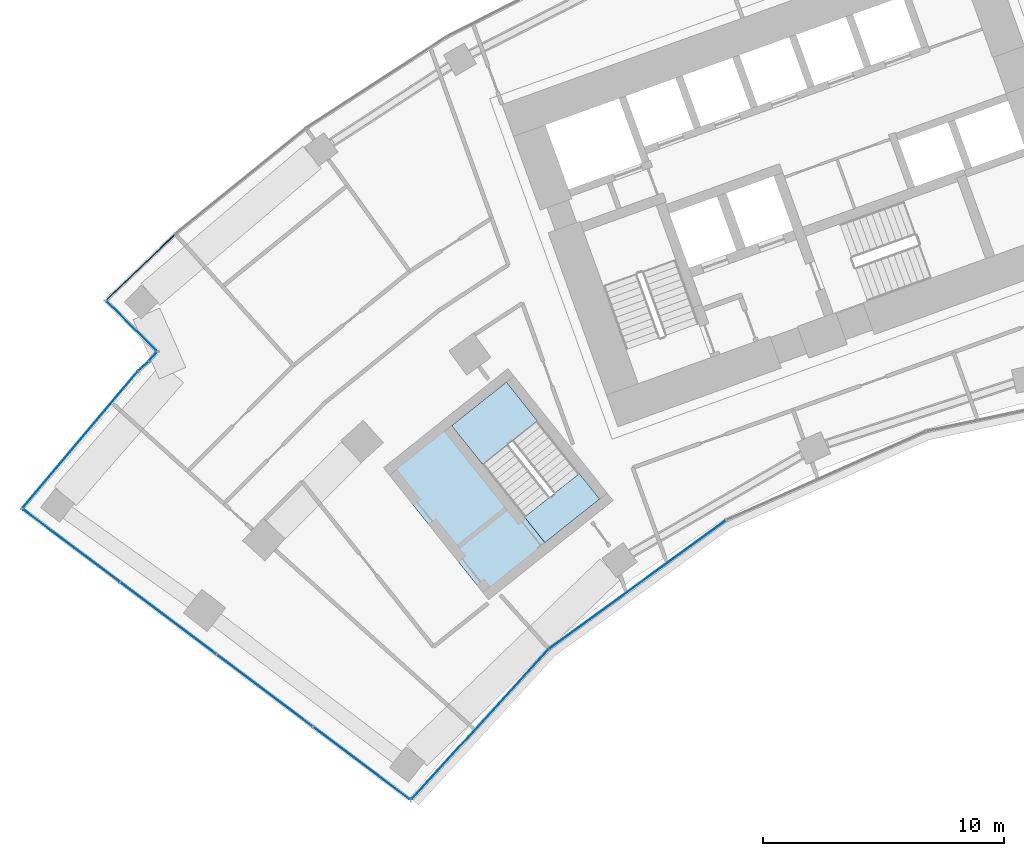
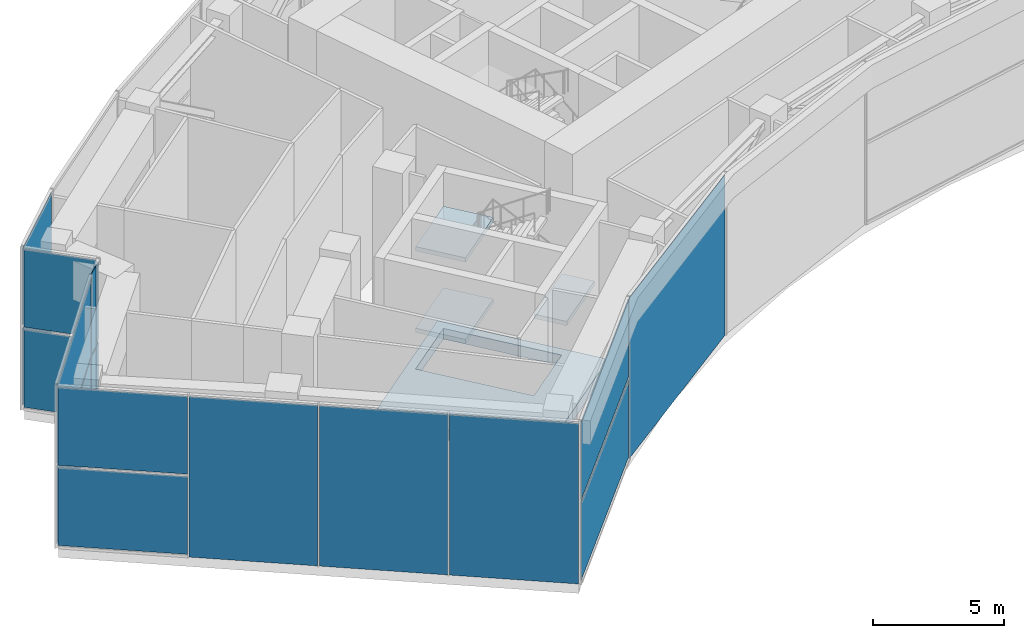
# One storey, part 16 of 32: 18 plates, 4 slabs, 8 elements without a shape of their own.
"""IFC4 building model written with IfcOpenShell, lengths in metres."""

from ifc_helpers import new_model, si_unit, direction, frame, origin, origin_2d, place, context, subcontext, project, spatial, polyline, rectangle, outline, extrude, material, layer, layer_set, type_object, element, aggregate, save


model = new_model("IFC4")

# Units and contexts
model_context = context("Model", 3, precision=1e-05, world=origin(), true_north=direction((0.0, 1.0)))
body_context = subcontext(model_context, "Body", "Model", "MODEL_VIEW")
ifc_project = project(units=[si_unit("LENGTHUNIT", "METRE"), si_unit("AREAUNIT", "SQUARE_METRE"), si_unit("VOLUMEUNIT", "CUBIC_METRE"), si_unit("PLANEANGLEUNIT", "RADIAN"), si_unit("MASSUNIT", "GRAM", prefix="KILO")], contexts=[model_context])

# Site, building, storey
site_placement = place(None, origin())
site = spatial("IfcSite", under=ifc_project, at=site_placement, CompositionType="ELEMENT")
building_placement = place(site_placement, origin())
building = spatial("IfcBuilding", under=site, at=building_placement, Name="Stone Belt Terrace Tower", CompositionType="ELEMENT")
storey_placement = place(building_placement, frame((0.0, 0.0, 193.39990234375)))
storey = spatial("IfcBuildingStorey", under=building, at=storey_placement, Name="L47", CompositionType="ELEMENT", Elevation=193.39990234375)

# Curtain wall, plates
ifc_material_1 = material(Name="Aluminium 6063-T6 anodised frame", Category="aluminium")
ifc_layer_1 = layer(ifc_material_1, 0.14990234375)
ifc_layer_set_1 = layer_set([ifc_layer_1], Name="CW-A unitised convex-face curtain wall")
curtain_wall_type_1 = type_object("IfcCurtainWallType", Name="CW-A unitised convex-face curtain wall", PredefinedType="NOTDEFINED", material=ifc_layer_set_1)
curtain_wall_1_placement = place(storey_placement, origin())
curtain_wall_1 = element("IfcCurtainWall", 1, at=curtain_wall_1_placement, inside=storey, type_object=curtain_wall_type_1, Name="CW-A convex face L47", PredefinedType="NOTDEFINED")
ifc_material_2 = material(Name="Terracotta coloured glazed ceramic", Category="masonry")
ifc_layer_2 = layer(ifc_material_2, 0.031982421875)
ifc_layer_set_2 = layer_set([ifc_layer_2], Name="CW-A ceramic louvre panel 32")
plate_type_1 = type_object("IfcPlateType", Name="CW-A ceramic louvre panel 32", PredefinedType="CURTAIN_PANEL", material=ifc_layer_set_2)
plate_1_placement = place(storey_placement, frame((-45.9765625, 48.109619140625, 0.14013671875), z_axis=(0.0, 0.0, 1.0), x_axis=(-0.723120883539, -0.690721497993, 0.0)))
plate_1 = element("IfcPlate", 2, at=plate_1_placement, type_object=plate_type_1, Name="CW-A louvre panel 16.1", PredefinedType="CURTAIN_PANEL", context=body_context, shape_type="SweptSolid", body=[
    extrude(rectangle(XDim=3.888671875, YDim=0.031982421875, at=origin_2d()), origin(), (0.0, 0.0, 1.0), 3.590087890625),
])
plate_2_placement = place(storey_placement, frame((-45.9765625, 48.109619140625, 3.8701171875), z_axis=(0.0, 0.0, 1.0), x_axis=(-0.723120883539, -0.690721497993, 0.0)))
plate_2 = element("IfcPlate", 3, at=plate_2_placement, type_object=plate_type_1, Name="CW-A louvre panel 16.2", PredefinedType="CURTAIN_PANEL", context=body_context, shape_type="SweptSolid", body=[
    extrude(rectangle(XDim=3.888671875, YDim=0.031982421875, at=origin_2d()), origin(), (0.0, 0.0, 1.0), 3.590087890625),
])
aggregate(curtain_wall_1, [plate_1, plate_2])

ifc_layer_3 = layer(ifc_material_1, 0.14990234375)
ifc_layer_set_3 = layer_set([ifc_layer_3], Name="CW-B unitised concave-face curtain wall")
curtain_wall_type_2 = type_object("IfcCurtainWallType", Name="CW-B unitised concave-face curtain wall", PredefinedType="NOTDEFINED", material=ifc_layer_set_3)
curtain_wall_2_placement = place(storey_placement, origin())
curtain_wall_2 = element("IfcCurtainWall", 4, at=curtain_wall_2_placement, inside=storey, type_object=curtain_wall_type_2, Name="CW-B concave face L47", PredefinedType="NOTDEFINED")
ifc_layer_4 = layer(ifc_material_2, 0.030029296875)
ifc_layer_set_4 = layer_set([ifc_layer_4], Name="CW-B ceramic louvre panel 30")
plate_type_2 = type_object("IfcPlateType", Name="CW-B ceramic louvre panel 30", PredefinedType="CURTAIN_PANEL", material=ifc_layer_set_4)
plate_3_placement = place(storey_placement, frame((-31.9111328125, 29.148681640625, 0.1201171875), z_axis=(0.0, 0.0, 1.0), x_axis=(0.674760998748, 0.73803630979, 0.0)))
plate_3 = element("IfcPlate", 5, at=plate_3_placement, type_object=plate_type_2, Name="CW-B louvre panel 1.1", PredefinedType="CURTAIN_PANEL", context=body_context, shape_type="SweptSolid", body=[
    extrude(rectangle(XDim=8.39501953125, YDim=0.030029296875, at=origin_2d()), origin(), (0.0, 0.0, 1.0), 3.6201171875),
])
plate_4_placement = place(storey_placement, frame((-31.9111328125, 29.148681640625, 3.860107421875), z_axis=(0.0, 0.0, 1.0), x_axis=(0.674760998748, 0.73803630979, 0.0)))
plate_4 = element("IfcPlate", 6, at=plate_4_placement, type_object=plate_type_2, Name="CW-B louvre panel 1.2", PredefinedType="CURTAIN_PANEL", context=body_context, shape_type="SweptSolid", body=[
    extrude(rectangle(XDim=8.39501953125, YDim=0.030029296875, at=origin_2d()), origin(), (0.0, 0.0, 1.0), 3.6201171875),
])
plate_5_placement = place(storey_placement, frame((-25.384765625, 34.938720703125, 0.0), z_axis=(0.0, 0.0, 1.0), x_axis=(0.809016994375, 0.587785252292, 0.0)))
plate_5 = element("IfcPlate", 7, at=plate_5_placement, type_object=plate_type_2, Name="CW-B louvre panel 2.1", PredefinedType="CURTAIN_PANEL", context=body_context, shape_type="SweptSolid", body=[
    extrude(rectangle(XDim=9.013427734375, YDim=0.030029296875, at=origin_2d()), origin(), (0.0, 0.0, 1.0), 7.47998046875),
])
aggregate(curtain_wall_2, [plate_3, plate_4, plate_5])

ifc_layer_5 = layer(ifc_material_1, 0.14990234375)
ifc_layer_set_5 = layer_set([ifc_layer_5], Name="CW-C stick curtain wall, horn ends and notches")
curtain_wall_type_3 = type_object("IfcCurtainWallType", Name="CW-C stick curtain wall, horn ends and notches", PredefinedType="NOTDEFINED", material=ifc_layer_set_5)
curtain_wall_3_placement = place(storey_placement, origin())
curtain_wall_3 = element("IfcCurtainWall", 8, at=curtain_wall_3_placement, inside=storey, type_object=curtain_wall_type_3, Name="CW-C notch face L47", PredefinedType="NOTDEFINED")
ifc_layer_6 = layer(ifc_material_2, 0.028076171875)
ifc_layer_set_6 = layer_set([ifc_layer_6], Name="CW-C ceramic louvre panel 28")
plate_type_3 = type_object("IfcPlateType", Name="CW-C ceramic louvre panel 28", PredefinedType="CURTAIN_PANEL", material=ifc_layer_set_6)
plate_6_placement = place(storey_placement, frame((-46.365966796875, 45.658447265625, 0.1201171875), z_axis=(0.0, 0.0, 1.0), x_axis=(0.711713447851, -0.702469905511, 0.0)))
plate_6 = element("IfcPlate", 9, at=plate_6_placement, type_object=plate_type_3, Name="CW-C louvre panel 1.1", PredefinedType="CURTAIN_PANEL", context=body_context, shape_type="SweptSolid", body=[
    extrude(rectangle(XDim=2.859375, YDim=0.028076171875, at=origin_2d()), origin(), (0.0, 0.0, 1.0), 3.6201171875),
])
plate_7_placement = place(storey_placement, frame((-46.365966796875, 45.658447265625, 3.860107421875), z_axis=(0.0, 0.0, 1.0), x_axis=(0.711713447851, -0.702469905511, 0.0)))
plate_7 = element("IfcPlate", 10, at=plate_7_placement, type_object=plate_type_3, Name="CW-C louvre panel 1.2", PredefinedType="CURTAIN_PANEL", context=body_context, shape_type="SweptSolid", body=[
    extrude(rectangle(XDim=2.859375, YDim=0.028076171875, at=origin_2d()), origin(), (0.0, 0.0, 1.0), 3.6201171875),
])
aggregate(curtain_wall_3, [plate_6, plate_7])

curtain_wall_4_placement = place(storey_placement, origin())
curtain_wall_4 = element("IfcCurtainWall", 11, at=curtain_wall_4_placement, inside=storey, type_object=curtain_wall_type_3, Name="CW-C end face L47", PredefinedType="NOTDEFINED")
plate_8_placement = place(storey_placement, frame((-45.481689453125, 44.3876953125, 0.1201171875), z_axis=(0.0, 0.0, 1.0), x_axis=(-0.652737860281, -0.757583847343, 0.0)))
plate_8 = element("IfcPlate", 12, at=plate_8_placement, type_object=plate_type_3, Name="CW-C louvre panel 1.1", PredefinedType="CURTAIN_PANEL", context=body_context, shape_type="SweptSolid", body=[
    extrude(rectangle(XDim=0.421630859375, YDim=0.028076171875, at=origin_2d()), origin(), (0.0, 0.0, 1.0), 3.6201171875),
])
plate_9_placement = place(storey_placement, frame((-45.481689453125, 44.3876953125, 3.860107421875), z_axis=(0.0, 0.0, 1.0), x_axis=(-0.652737860281, -0.757583847343, 0.0)))
plate_9 = element("IfcPlate", 13, at=plate_9_placement, type_object=plate_type_3, Name="CW-C louvre panel 1.2", PredefinedType="CURTAIN_PANEL", context=body_context, shape_type="SweptSolid", body=[
    extrude(rectangle(XDim=0.421630859375, YDim=0.028076171875, at=origin_2d()), origin(), (0.0, 0.0, 1.0), 3.6201171875),
])
aggregate(curtain_wall_4, [plate_8, plate_9])

curtain_wall_5_placement = place(storey_placement, origin())
curtain_wall_5 = element("IfcCurtainWall", 14, at=curtain_wall_5_placement, inside=storey, type_object=curtain_wall_type_3, Name="CW-C end face L47", PredefinedType="NOTDEFINED")
plate_10_placement = place(storey_placement, frame((-45.86376953125, 43.997802734375, 0.1201171875), z_axis=(0.0, 0.0, 1.0), x_axis=(-0.736280049148, -0.676676945985, 0.0)))
plate_10 = element("IfcPlate", 15, at=plate_10_placement, type_object=plate_type_3, Name="CW-C louvre panel 1.1", PredefinedType="CURTAIN_PANEL", context=body_context, shape_type="SweptSolid", body=[
    extrude(rectangle(XDim=0.534912109375, YDim=0.028076171875, at=origin_2d()), origin(), (0.0, 0.0, 1.0), 3.6201171875),
])
plate_11_placement = place(storey_placement, frame((-45.86376953125, 43.997802734375, 3.85986328125), z_axis=(0.0, 0.0, 1.0), x_axis=(-0.736280049148, -0.676676945985, 0.0)))
plate_11 = element("IfcPlate", 16, at=plate_11_placement, type_object=plate_type_3, Name="CW-C louvre panel 1.2", PredefinedType="CURTAIN_PANEL", context=body_context, shape_type="SweptSolid", body=[
    extrude(rectangle(XDim=0.534912109375, YDim=0.028076171875, at=origin_2d()), origin(), (0.0, 0.0, 1.0), 3.739990234375),
])
aggregate(curtain_wall_5, [plate_10, plate_11])

curtain_wall_6_placement = place(storey_placement, origin())
curtain_wall_6 = element("IfcCurtainWall", 17, at=curtain_wall_6_placement, inside=storey, type_object=curtain_wall_type_3, Name="CW-C notch face L47", PredefinedType="NOTDEFINED")
plate_12_placement = place(storey_placement, frame((-48.48388671875, 40.95654296875, 0.1201171875), z_axis=(0.0, 0.0, 1.0), x_axis=(-0.645521125177, -0.763742415315, 0.0)))
plate_12 = element("IfcPlate", 18, at=plate_12_placement, type_object=plate_type_3, Name="CW-C louvre panel 1.1", PredefinedType="CURTAIN_PANEL", context=body_context, shape_type="SweptSolid", body=[
    extrude(rectangle(XDim=7.359375, YDim=0.028076171875, at=origin_2d()), origin(), (0.0, 0.0, 1.0), 3.6201171875),
])
plate_13_placement = place(storey_placement, frame((-48.48388671875, 40.95654296875, 3.860107421875), z_axis=(0.0, 0.0, 1.0), x_axis=(-0.645521125177, -0.763742415315, 0.0)))
plate_13 = element("IfcPlate", 19, at=plate_13_placement, type_object=plate_type_3, Name="CW-C louvre panel 1.2", PredefinedType="CURTAIN_PANEL", context=body_context, shape_type="SweptSolid", body=[
    extrude(rectangle(XDim=7.359375, YDim=0.028076171875, at=origin_2d()), origin(), (0.0, 0.0, 1.0), 3.6201171875),
])
aggregate(curtain_wall_6, [plate_12, plate_13])

curtain_wall_7_placement = place(storey_placement, origin())
curtain_wall_7 = element("IfcCurtainWall", 20, at=curtain_wall_7_placement, inside=storey, type_object=curtain_wall_type_3, Name="CW-C end face L47", PredefinedType="NOTDEFINED")
plate_14_placement = place(storey_placement, frame((-48.85791015625, 36.551513671875, 0.1201171875), z_axis=(0.0, 0.0, 1.0), x_axis=(0.799986505357, -0.600017992436, 0.0)))
plate_14 = element("IfcPlate", 21, at=plate_14_placement, type_object=plate_type_3, Name="CW-C louvre panel 1.1", PredefinedType="CURTAIN_PANEL", context=body_context, shape_type="SweptSolid", body=[
    extrude(rectangle(XDim=4.974365234375, YDim=0.028076171875, at=origin_2d()), origin(), (0.0, 0.0, 1.0), 3.6201171875),
])
plate_15_placement = place(storey_placement, frame((-48.85791015625, 36.551513671875, 3.860107421875), z_axis=(0.0, 0.0, 1.0), x_axis=(0.799986505357, -0.600017992436, 0.0)))
plate_15 = element("IfcPlate", 22, at=plate_15_placement, type_object=plate_type_3, Name="CW-C louvre panel 1.2", PredefinedType="CURTAIN_PANEL", context=body_context, shape_type="SweptSolid", body=[
    extrude(rectangle(XDim=4.974365234375, YDim=0.028076171875, at=origin_2d()), origin(), (0.0, 0.0, 1.0), 3.6201171875),
])
plate_16_placement = place(storey_placement, frame((-44.84423828125, 33.541015625, 0.0), z_axis=(0.0, 0.0, 1.0), x_axis=(0.799986505357, -0.600017992436, 0.0)))
plate_16 = element("IfcPlate", 23, at=plate_16_placement, type_object=plate_type_3, Name="CW-C louvre panel 2.1", PredefinedType="CURTAIN_PANEL", context=body_context, shape_type="SweptSolid", body=[
    extrude(rectangle(XDim=4.93994140625, YDim=0.028076171875, at=origin_2d()), origin(), (0.0, 0.0, 1.0), 7.47998046875),
])
plate_17_placement = place(storey_placement, frame((-40.84423828125, 30.541015625, 0.0), z_axis=(0.0, 0.0, 1.0), x_axis=(0.799986505357, -0.600017992436, 0.0)))
plate_17 = element("IfcPlate", 24, at=plate_17_placement, type_object=plate_type_3, Name="CW-C louvre panel 3.1", PredefinedType="CURTAIN_PANEL", context=body_context, shape_type="SweptSolid", body=[
    extrude(rectangle(XDim=4.93994140625, YDim=0.028076171875, at=origin_2d()), origin(), (0.0, 0.0, 1.0), 7.47998046875),
])
plate_18_placement = place(storey_placement, frame((-36.834228515625, 27.533203125, 0.0), z_axis=(0.0, 0.0, 1.0), x_axis=(0.799986505357, -0.600017992436, 0.0)))
plate_18 = element("IfcPlate", 25, at=plate_18_placement, type_object=plate_type_3, Name="CW-C louvre panel 4.1", PredefinedType="CURTAIN_PANEL", context=body_context, shape_type="SweptSolid", body=[
    extrude(rectangle(XDim=4.96533203125, YDim=0.028076171875, at=origin_2d()), origin(), (0.0, 0.0, 1.0), 7.47998046875),
])
aggregate(curtain_wall_7, [plate_14, plate_15, plate_16, plate_17, plate_18])

# Slab
ifc_material_3 = material(Name="Concrete B40", Category="concrete")
ifc_layer_7 = layer(ifc_material_3, 0.5)
ifc_layer_set_7 = layer_set([ifc_layer_7], Name="Core floor slab 500")
slab_type_1 = type_object("IfcSlabType", Name="Core floor slab 500", PredefinedType="FLOOR", material=ifc_layer_set_7)
slab_1_placement = place(storey_placement, frame((0.0, 0.0, -0.5)))
element("IfcSlab", 26, at=slab_1_placement, inside=storey, type_object=slab_type_1, Name="Exit stair ST3A floor L47", PredefinedType="FLOOR", context=body_context, shape_type="SweptSolid", body=[
    extrude(outline(polyline([(-26.39404296875, 38.425048828125), (-30.756103515625, 43.89990234375), (-35.91796875, 39.787109375), (-31.555908203125, 34.31298828125), (-26.39404296875, 38.425048828125)]), holes=[polyline([(-27.798095703125, 39.544921875), (-30.06591796875, 37.738037109375), (-33.087890625, 41.531005859375), (-30.820068359375, 43.337890625), (-27.798095703125, 39.544921875)])]), origin(), (0.0, 0.0, 1.0), 0.5),
])

# Stair, slabs
stair_type = type_object("IfcStairType", Name="Exit stair 1500", PredefinedType="HALF_TURN_STAIR", material=ifc_material_3)
stair_placement = place(storey_placement, origin())
stair = element("IfcStair", 27, at=stair_placement, inside=storey, type_object=stair_type, Name="L47 Exit stair 3A", PredefinedType="HALF_TURN_STAIR")
ifc_layer_8 = layer(ifc_material_3, 0.199951171875)
ifc_layer_set_8 = layer_set([ifc_layer_8], Name="Stair landing 200")
slab_type_2 = type_object("IfcSlabType", Name="Stair landing 200", PredefinedType="LANDING", material=ifc_layer_set_8)
slab_2_placement = place(storey_placement, frame((0.0, 0.0, 1.7001953125)))
slab_2 = element("IfcSlab", 28, at=slab_2_placement, type_object=slab_type_2, Name="ST3A landing 1", PredefinedType="LANDING", context=body_context, shape_type="SweptSolid", body=[
    extrude(outline(polyline([(-29.541748046875, 41.73388671875), (-30.819580078125, 43.337890625), (-33.087646484375, 41.53076171875), (-31.809814453125, 39.9267578125), (-29.541748046875, 41.73388671875)])), origin(), (0.0, 0.0, 1.0), 0.199951171875),
])
slab_3_placement = place(storey_placement, frame((0.0, 0.0, 3.60009765625)))
slab_3 = element("IfcSlab", 29, at=slab_3_placement, type_object=slab_type_2, Name="ST3A landing 2", PredefinedType="LANDING", context=body_context, shape_type="SweptSolid", body=[
    extrude(outline(polyline([(-26.956298828125, 38.48876953125), (-27.7978515625, 39.545166015625), (-30.066162109375, 37.73828125), (-29.224365234375, 36.681640625), (-26.956298828125, 38.48876953125)])), origin(), (0.0, 0.0, 1.0), 0.199951171875),
])
slab_4_placement = place(storey_placement, frame((0.0, 0.0, 5.5)))
slab_4 = element("IfcSlab", 30, at=slab_4_placement, type_object=slab_type_2, Name="ST3A landing 3", PredefinedType="LANDING", context=body_context, shape_type="SweptSolid", body=[
    extrude(outline(polyline([(-29.541748046875, 41.73388671875), (-30.819580078125, 43.337890625), (-33.087646484375, 41.53076171875), (-31.809814453125, 39.9267578125), (-29.541748046875, 41.73388671875)])), origin(), (0.0, 0.0, 1.0), 0.2001953125),
])
aggregate(stair, [slab_2, slab_3, slab_4])

save(model, "model.ifc")
